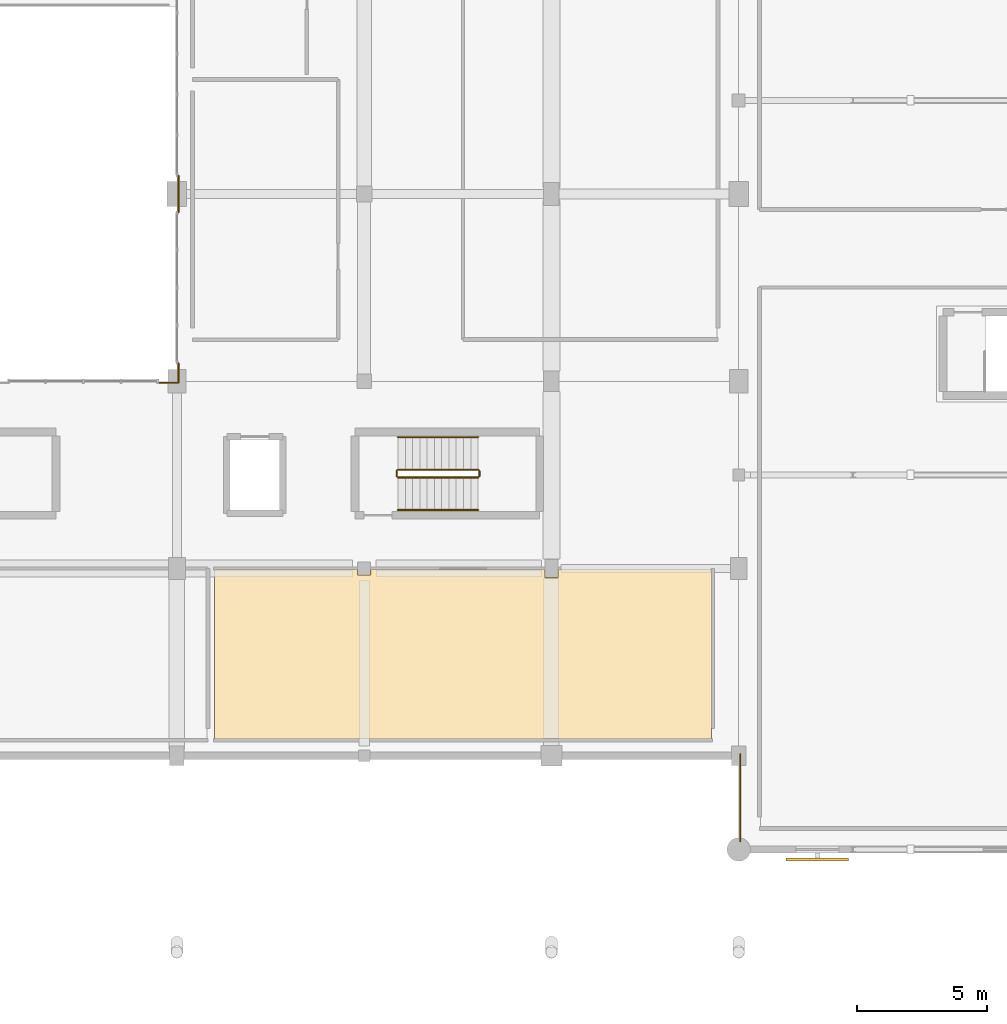
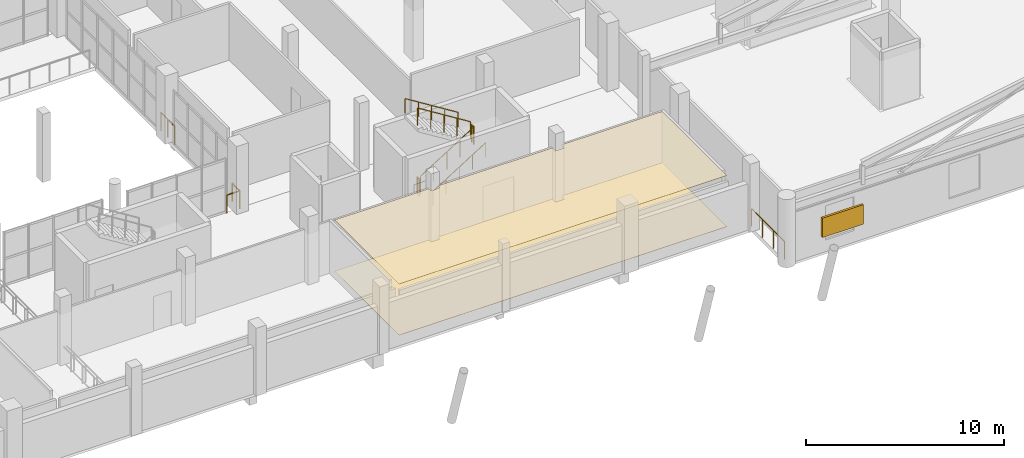
# One storey, part 86 of 92: 10 railings, 2 coverings, 1 shading device.
"""IFC4 building model written with IfcOpenShell, lengths in metres."""

from ifc_helpers import new_model, si_unit, direction, frame, origin, origin_2d, place, context, subcontext, project, spatial, polyline, rectangle, circle, outline, extrude, material, layer, layer_set, type_object, element, save


model = new_model("IFC4")

# Units and contexts
model_context = context("Model", 3, precision=1e-05, world=origin(), true_north=direction((0.0, 1.0)))
body_context = subcontext(model_context, "Body", "Model", "MODEL_VIEW")
ifc_project = project(units=[si_unit("LENGTHUNIT", "METRE"), si_unit("AREAUNIT", "SQUARE_METRE"), si_unit("VOLUMEUNIT", "CUBIC_METRE"), si_unit("PLANEANGLEUNIT", "RADIAN"), si_unit("MASSUNIT", "GRAM", prefix="KILO")], contexts=[model_context])

# Site, building, storey
site_placement = place(None, origin())
site = spatial("IfcSite", under=ifc_project, at=site_placement, CompositionType="ELEMENT")
building_placement = place(site_placement, origin())
building = spatial("IfcBuilding", under=site, at=building_placement, Name="Solanera Park Tramway Depot", CompositionType="ELEMENT")
storey_placement = place(building_placement, frame((0.0, 0.0, 4.800048828125)))
storey = spatial("IfcBuildingStorey", under=building, at=storey_placement, Name="L01", CompositionType="ELEMENT", Elevation=4.800048828125)

# Covering
ifc_material_1 = material(Name="Acoustic perforated plasterboard and mineral-fibre ceiling")
ifc_layer_1 = layer(ifc_material_1, 0.02001953125)
ifc_layer_set_1 = layer_set([ifc_layer_1], Name="Acoustic perforated plasterboard and mineral-fibre ceiling")
covering_type_1 = type_object("IfcCoveringType", Name="Acoustic Mineral-Fibre Ceiling 20", PredefinedType="CEILING", material=ifc_layer_set_1)
covering_1_placement = place(storey_placement, frame((0.0, 0.0, 3.14990234375)))
element("IfcCovering", 1, at=covering_1_placement, inside=storey, type_object=covering_type_1, Name="Safety Induction Lecture Room Acoustic Ceiling", PredefinedType="CEILING", context=body_context, shape_type="SweptSolid", body=[
    extrude(outline(polyline([(167.0400390625, 17.9599609375), (172.547119140625, 17.9599609375), (172.547119140625, 17.7470703125), (173.052978515625, 17.7470703125), (173.052978515625, 17.9599609375), (179.7470703125, 17.9599609375), (179.7470703125, 17.64697265625), (180.2529296875, 17.64697265625), (180.2529296875, 17.9599609375), (186.159912109375, 17.9599609375), (186.159912109375, 11.43994140625), (167.0400390625, 11.43994140625), (167.0400390625, 17.9599609375)])), origin(), (0.0, 0.0, 1.0), 0.02001953125),
])

# Railings
ifc_material_2 = material(Name="Powder-coated galvanised steel balustrade", Category="steel")
ifc_layer_2 = layer(ifc_material_2, 0.06005859375)
ifc_layer_set_2 = layer_set([ifc_layer_2], Name="Powder-coated galvanised steel balustrade")
railing_type_1 = type_object("IfcRailingType", Name="Classical Wrought-Style Balustrade 1120", PredefinedType="BALUSTRADE", material=ifc_layer_set_2)
railing_1_placement = place(storey_placement, frame((187.260009765625, 7.52001953125, 0.0)))
element("IfcRailing", 2, at=railing_1_placement, inside=storey, type_object=railing_type_1, Name="L01 Perimeter Deck Balustrade #023", PredefinedType="BALUSTRADE", context=body_context, shape_type="SweptSolid", body=[
    extrude(circle(Radius=0.02392578125, at=origin_2d()), frame((0.0, 0.0, 1.09619140625), z_axis=(0.0, 1.0, 0.0), x_axis=(-1.0, 0.0, 0.0)), (0.0, 0.0, 1.0), 3.340087890625),
    extrude(circle(Radius=0.02099609375, at=origin_2d()), origin(), (0.0, 0.0, 1.0), 1.072021484375),
    extrude(circle(Radius=0.02099609375, at=origin_2d()), frame((0.0, 1.11328125, 0.0)), (0.0, 0.0, 1.0), 1.072021484375),
    extrude(circle(Radius=0.02099609375, at=origin_2d()), frame((0.0, 2.226806640625, 0.0)), (0.0, 0.0, 1.0), 1.072021484375),
    extrude(circle(Radius=0.02099609375, at=origin_2d()), frame((0.0, 3.340087890625, 0.0)), (0.0, 0.0, 1.0), 1.072021484375),
])
railing_2_placement = place(storey_placement, frame((164.89990234375, 25.139892578125, 0.0)))
element("IfcRailing", 3, at=railing_2_placement, inside=storey, type_object=railing_type_1, Name="L01 Perimeter Deck Balustrade #027", PredefinedType="BALUSTRADE", context=body_context, shape_type="SweptSolid", body=[
    extrude(circle(Radius=0.02392578125, at=origin_2d()), frame((0.0, 0.0, 1.09619140625), z_axis=(1.0, 0.0, 0.0), x_axis=(0.0, 1.0, 0.0)), (0.0, 0.0, 1.0), 0.760009765625),
    extrude(circle(Radius=0.02099609375, at=origin_2d()), origin(), (0.0, 0.0, 1.0), 1.072021484375),
    extrude(circle(Radius=0.02099609375, at=origin_2d()), frame((0.760009765625, 0.0, 0.0)), (0.0, 0.0, 1.0), 1.072021484375),
])
railing_3_placement = place(storey_placement, frame((165.659912109375, 25.139892578125, 0.0)))
element("IfcRailing", 4, at=railing_3_placement, inside=storey, type_object=railing_type_1, Name="L01 Perimeter Deck Balustrade #028", PredefinedType="BALUSTRADE", context=body_context, shape_type="SweptSolid", body=[
    extrude(circle(Radius=0.02392578125, at=origin_2d()), frame((0.0, 0.0, 1.09619140625), z_axis=(0.0, 1.0, 0.0), x_axis=(-1.0, 0.0, 0.0)), (0.0, 0.0, 1.0), 0.760009765625),
    extrude(circle(Radius=0.02099609375, at=origin_2d()), origin(), (0.0, 0.0, 1.0), 1.072021484375),
    extrude(circle(Radius=0.02099609375, at=origin_2d()), frame((0.0, 0.760009765625, 0.0)), (0.0, 0.0, 1.0), 1.072021484375),
])
railing_4_placement = place(storey_placement, frame((165.659912109375, 31.699951171875, 0.0)))
element("IfcRailing", 5, at=railing_4_placement, inside=storey, type_object=railing_type_1, Name="L01 Perimeter Deck Balustrade #029", PredefinedType="BALUSTRADE", context=body_context, shape_type="SweptSolid", body=[
    extrude(circle(Radius=0.02392578125, at=origin_2d()), frame((0.0, 0.0, 1.09619140625), z_axis=(0.0, 1.0, 0.0), x_axis=(-1.0, 0.0, 0.0)), (0.0, 0.0, 1.0), 1.400146484375),
    extrude(circle(Radius=0.02099609375, at=origin_2d()), origin(), (0.0, 0.0, 1.0), 1.072021484375),
    extrude(circle(Radius=0.02099609375, at=origin_2d()), frame((0.0, 0.7001953125, 0.0)), (0.0, 0.0, 1.0), 1.072021484375),
    extrude(circle(Radius=0.02099609375, at=origin_2d()), frame((0.0, 1.400146484375, 0.0)), (0.0, 0.0, 1.0), 1.072021484375),
])
ifc_material_3 = material(Name="Brushed stainless steel 316 handrail", Category="steel")
ifc_layer_3 = layer(ifc_material_3, 0.050048828125)
ifc_layer_set_3 = layer_set([ifc_layer_3], Name="Brushed stainless steel 316 handrail")
railing_type_2 = type_object("IfcRailingType", Name="Stair Pitch Tubular Handrail 920", PredefinedType="HANDRAIL", material=ifc_layer_set_3)
railing_5_placement = place(storey_placement, frame((174.10009765625, 20.25, 0.175048828125)))
element("IfcRailing", 6, at=railing_5_placement, inside=storey, type_object=railing_type_2, Name="ST-04 L01 Pitch Handrail 1", PredefinedType="HANDRAIL", context=body_context, shape_type="SweptSolid", body=[
    extrude(circle(Radius=0.02392578125, at=origin_2d()), frame((0.0, 0.0, 0.89599609375), z_axis=(0.848009633417, 0.0, 0.529980812513), x_axis=(0.0, 1.0, 0.0)), (0.0, 0.0, 1.0), 3.6318359375),
    extrude(circle(Radius=0.02099609375, at=origin_2d()), origin(), (0.0, 0.0, 1.0), 0.871826171875),
    extrude(circle(Radius=0.02099609375, at=origin_2d()), frame((0.77001953125, 0.0, 0.481201171875)), (0.0, 0.0, 1.0), 0.871826171875),
    extrude(circle(Radius=0.02099609375, at=origin_2d()), frame((1.5400390625, 0.0, 0.96240234375)), (0.0, 0.0, 1.0), 0.871826171875),
    extrude(circle(Radius=0.02099609375, at=origin_2d()), frame((2.309814453125, 0.0, 1.443603515625)), (0.0, 0.0, 1.0), 0.871826171875),
    extrude(circle(Radius=0.02099609375, at=origin_2d()), frame((3.079833984375, 0.0, 1.9248046875)), (0.0, 0.0, 1.0), 0.871826171875),
])
railing_6_placement = place(storey_placement, frame((177.179931640625, 23.050048828125, 2.27490234375)))
element("IfcRailing", 7, at=railing_6_placement, inside=storey, type_object=railing_type_2, Name="ST-04 L01 Pitch Handrail 2", PredefinedType="HANDRAIL", context=body_context, shape_type="SweptSolid", body=[
    extrude(circle(Radius=0.02392578125, at=origin_2d()), frame((0.0, 0.0, 0.89599609375), z_axis=(-0.847979421464, 0.0, 0.530029150871), x_axis=(0.0, -1.0, 0.0)), (0.0, 0.0, 1.0), 3.632080078125),
    extrude(circle(Radius=0.02099609375, at=origin_2d()), origin(), (0.0, 0.0, 1.0), 0.871826171875),
    extrude(circle(Radius=0.02099609375, at=origin_2d()), frame((-0.77001953125, 0.0, 0.481201171875)), (0.0, 0.0, 1.0), 0.871826171875),
    extrude(circle(Radius=0.02099609375, at=origin_2d()), frame((-1.5400390625, 0.0, 0.96240234375)), (0.0, 0.0, 1.0), 0.871826171875),
    extrude(circle(Radius=0.02099609375, at=origin_2d()), frame((-2.309814453125, 0.0, 1.44384765625)), (0.0, 0.0, 1.0), 0.871826171875),
    extrude(circle(Radius=0.02099609375, at=origin_2d()), frame((-3.079833984375, 0.0, 1.925048828125)), (0.0, 0.0, 1.0), 0.871826171875),
])
ifc_material_4 = material(Name="Steel AS/NZS 1163 Grade C350L0", Category="steel")
ifc_layer_4 = layer(ifc_material_4, 0.06005859375)
ifc_layer_set_4 = layer_set([ifc_layer_4], Name="Steel AS/NZS 1163 Grade C350L0")
railing_type_3 = type_object("IfcRailingType", Name="Stairwell Guardrail 1100", PredefinedType="GUARDRAIL", material=ifc_layer_set_4)
railing_7_placement = place(storey_placement, frame((174.10009765625, 21.5, 0.175048828125)))
element("IfcRailing", 8, at=railing_7_placement, inside=storey, type_object=railing_type_3, Name="ST-04 L01 Well Guard 1", PredefinedType="GUARDRAIL", context=body_context, shape_type="SweptSolid", body=[
    extrude(circle(Radius=0.02392578125, at=origin_2d()), frame((0.0, 0.0, 1.076171875), z_axis=(0.848009633417, 0.0, 0.529980812513), x_axis=(0.0, 1.0, 0.0)), (0.0, 0.0, 1.0), 3.6318359375),
    extrude(circle(Radius=0.02099609375, at=origin_2d()), origin(), (0.0, 0.0, 1.0), 1.052001953125),
    extrude(circle(Radius=0.02099609375, at=origin_2d()), frame((0.77001953125, 0.0, 0.481201171875)), (0.0, 0.0, 1.0), 1.052001953125),
    extrude(circle(Radius=0.02099609375, at=origin_2d()), frame((1.5400390625, 0.0, 0.96240234375)), (0.0, 0.0, 1.0), 1.052001953125),
    extrude(circle(Radius=0.02099609375, at=origin_2d()), frame((2.309814453125, 0.0, 1.443603515625)), (0.0, 0.0, 1.0), 1.052001953125),
    extrude(circle(Radius=0.02099609375, at=origin_2d()), frame((3.079833984375, 0.0, 1.9248046875)), (0.0, 0.0, 1.0), 1.052001953125),
])
railing_8_placement = place(storey_placement, frame((177.22998046875, 21.550048828125, 2.099853515625)))
element("IfcRailing", 9, at=railing_8_placement, inside=storey, type_object=railing_type_3, Name="ST-04 L01 Well Guard 2", PredefinedType="GUARDRAIL", context=body_context, shape_type="SweptSolid", body=[
    extrude(circle(Radius=0.02392578125, at=origin_2d()), frame((0.0, 0.0, 1.076171875), z_axis=(0.0, 1.0, 0.0), x_axis=(-1.0, 0.0, 0.0)), (0.0, 0.0, 1.0), 0.199951171875),
    extrude(circle(Radius=0.02099609375, at=origin_2d()), origin(), (0.0, 0.0, 1.0), 1.052001953125),
    extrude(circle(Radius=0.02099609375, at=origin_2d()), frame((0.0, 0.199951171875, 0.0)), (0.0, 0.0, 1.0), 1.052001953125),
])
railing_9_placement = place(storey_placement, frame((177.179931640625, 21.800048828125, 2.27490234375)))
element("IfcRailing", 10, at=railing_9_placement, inside=storey, type_object=railing_type_3, Name="ST-04 L01 Well Guard 3", PredefinedType="GUARDRAIL", context=body_context, shape_type="SweptSolid", body=[
    extrude(circle(Radius=0.02392578125, at=origin_2d()), frame((0.0, 0.0, 1.076171875), z_axis=(-0.847979421464, 0.0, 0.530029150871), x_axis=(0.0, -1.0, 0.0)), (0.0, 0.0, 1.0), 3.632080078125),
    extrude(circle(Radius=0.02099609375, at=origin_2d()), origin(), (0.0, 0.0, 1.0), 1.052001953125),
    extrude(circle(Radius=0.02099609375, at=origin_2d()), frame((-0.77001953125, 0.0, 0.481201171875)), (0.0, 0.0, 1.0), 1.052001953125),
    extrude(circle(Radius=0.02099609375, at=origin_2d()), frame((-1.5400390625, 0.0, 0.96240234375)), (0.0, 0.0, 1.0), 1.052001953125),
    extrude(circle(Radius=0.02099609375, at=origin_2d()), frame((-2.309814453125, 0.0, 1.44384765625)), (0.0, 0.0, 1.0), 1.052001953125),
    extrude(circle(Radius=0.02099609375, at=origin_2d()), frame((-3.079833984375, 0.0, 1.925048828125)), (0.0, 0.0, 1.0), 1.052001953125),
])
railing_10_placement = place(storey_placement, frame((174.050048828125, 21.550048828125, 0.0)))
element("IfcRailing", 11, at=railing_10_placement, inside=storey, type_object=railing_type_3, Name="ST-04 L01 Well Guard 4", PredefinedType="GUARDRAIL", context=body_context, shape_type="SweptSolid", body=[
    extrude(circle(Radius=0.02392578125, at=origin_2d()), frame((0.0, 0.0, 1.076171875), z_axis=(0.0, 1.0, 0.0), x_axis=(-1.0, 0.0, 0.0)), (0.0, 0.0, 1.0), 0.199951171875),
    extrude(circle(Radius=0.02099609375, at=origin_2d()), origin(), (0.0, 0.0, 1.0), 1.052001953125),
    extrude(circle(Radius=0.02099609375, at=origin_2d()), frame((0.0, 0.199951171875, 0.0)), (0.0, 0.0, 1.0), 1.052001953125),
])

# Covering
ifc_material_5 = material(Name="Vitrified terracotta quarry floor tile", Category="masonry")
ifc_layer_5 = layer(ifc_material_5, 0.01806640625)
ifc_layer_set_5 = layer_set([ifc_layer_5], Name="Vitrified terracotta quarry floor tile")
covering_type_2 = type_object("IfcCoveringType", Name="Terracotta Quarry Tile Flooring 18", PredefinedType="FLOORING", material=ifc_layer_set_5)
covering_2_placement = place(storey_placement, origin())
element("IfcCovering", 12, at=covering_2_placement, inside=storey, type_object=covering_type_2, Name="Safety Induction Lecture Room Floor Finish", PredefinedType="FLOORING", context=body_context, shape_type="SweptSolid", body=[
    extrude(outline(polyline([(167.0400390625, 17.9599609375), (172.544921875, 17.9599609375), (172.544921875, 17.7451171875), (173.054931640625, 17.7451171875), (173.054931640625, 17.9599609375), (179.7451171875, 17.9599609375), (179.7451171875, 17.64501953125), (180.2548828125, 17.64501953125), (180.2548828125, 17.9599609375), (186.159912109375, 17.9599609375), (186.159912109375, 11.43994140625), (167.0400390625, 11.43994140625), (167.0400390625, 17.9599609375)])), origin(), (0.0, 0.0, 1.0), 0.01806640625),
])

# Shading device
ifc_material_6 = material(Name="Powder-coated aluminium aerofoil louvre", Category="aluminium")
shading_device_type = type_object("IfcShadingDeviceType", Name="Timber-Look Aluminium Jalousie Louvre 2400x1200", PredefinedType="JALOUSIE", material=ifc_material_6)
shading_device_placement = place(storey_placement, frame((190.22509765625, 6.820068359375, 1.169921875), z_axis=(0.0, 0.0, 1.0), x_axis=(1.0, 0.0, 0.0)))
element("IfcShadingDevice", 13, at=shading_device_placement, inside=storey, type_object=shading_device_type, Name="Jalousie Louvre Screen #036", PredefinedType="JALOUSIE", context=body_context, shape_type="SweptSolid", body=[
    extrude(rectangle(XDim=2.39990234375, YDim=0.1201171875, at=origin_2d()), origin(), (0.0, 0.0, 1.0), 1.199951171875),
])

save(model, "model.ifc")
